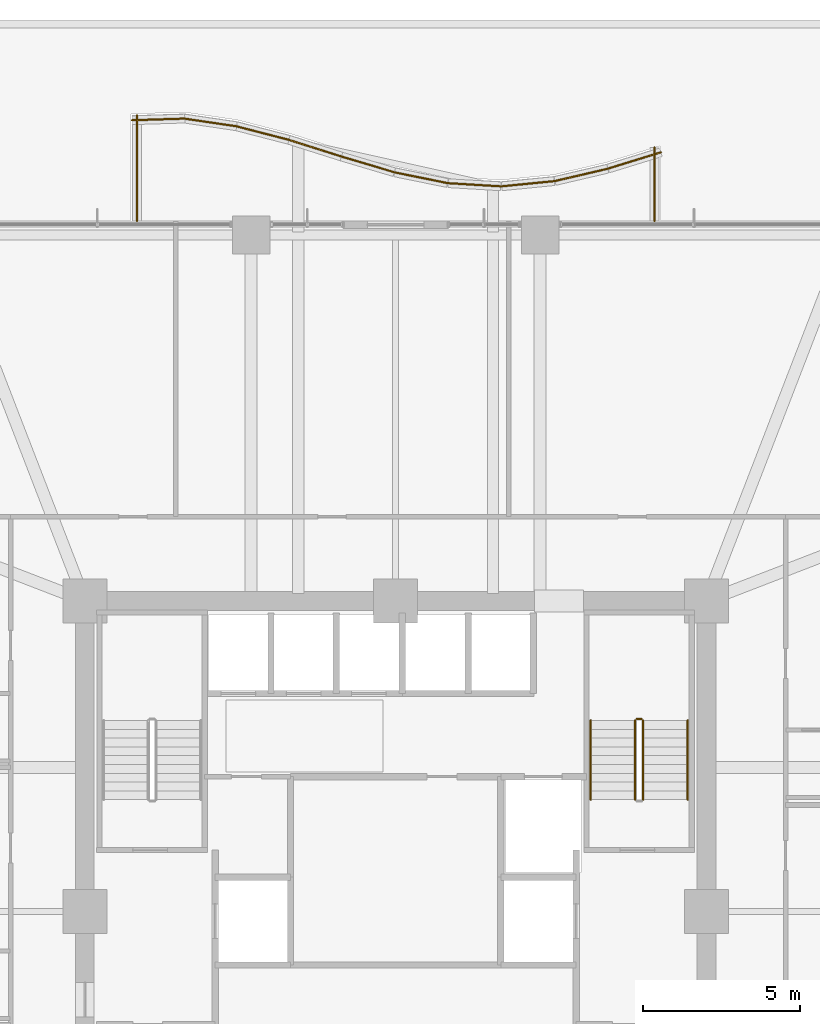
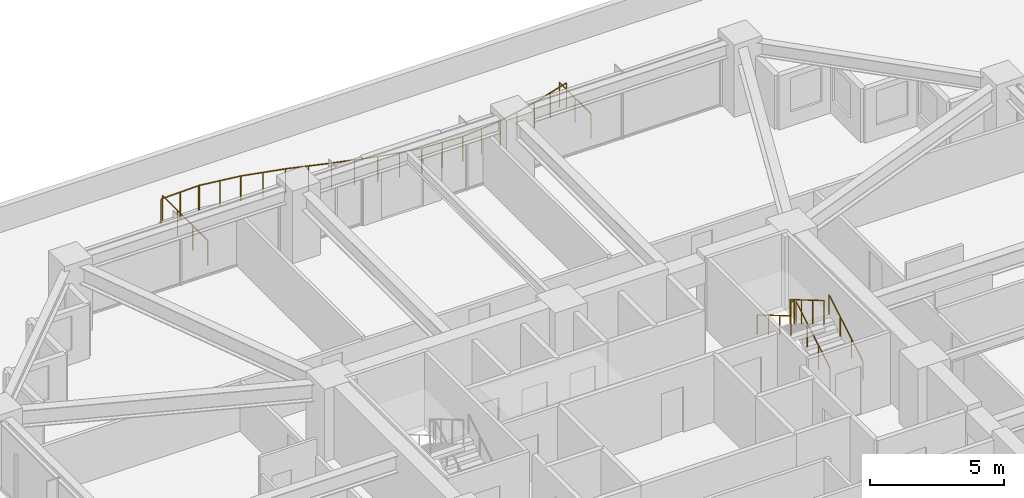
# One storey, part 36 of 36: 17 railings.
"""IFC4 building model written with IfcOpenShell, lengths in metres."""

from ifc_helpers import new_model, si_unit, direction, frame, origin, origin_2d, place, context, subcontext, project, spatial, circle, extrude, material, type_object, element, save


model = new_model("IFC4")

# Units and contexts
model_context = context("Model", 3, precision=1e-05, world=origin(), true_north=direction((0.0, 1.0)))
body_context = subcontext(model_context, "Body", "Model", "MODEL_VIEW")
ifc_project = project(units=[si_unit("LENGTHUNIT", "METRE"), si_unit("AREAUNIT", "SQUARE_METRE"), si_unit("VOLUMEUNIT", "CUBIC_METRE"), si_unit("PLANEANGLEUNIT", "RADIAN"), si_unit("MASSUNIT", "GRAM", prefix="KILO")], contexts=[model_context])

# Site, building, storey
site_placement = place(None, origin())
site = spatial("IfcSite", under=ifc_project, at=site_placement, CompositionType="ELEMENT")
building_placement = place(site_placement, origin())
building = spatial("IfcBuilding", under=site, at=building_placement, Name="Kolvaren Belvedere", CompositionType="ELEMENT")
storey_placement = place(building_placement, frame((0.0, 0.0, 23.800048828125)))
storey = spatial("IfcBuildingStorey", under=building, at=storey_placement, Name="L06", CompositionType="ELEMENT", Elevation=23.800048828125)

# Railings
ifc_material_1 = material(Name="Anodised pale-metal aluminium & laminated glass guard", Category="aluminium")
railing_type_1 = type_object("IfcRailingType", Name="RL-GUARD-1150", PredefinedType="GUARDRAIL", material=ifc_material_1)
railing_1_placement = place(storey_placement, frame((8.239990234375, 22.0, 0.35986328125)))
element("IfcRailing", 1, at=railing_1_placement, inside=storey, type_object=railing_type_1, Name="L06 Exterior Deck Safety Guard BAL-N-11", PredefinedType="GUARDRAIL", context=body_context, shape_type="SweptSolid", body=[
    extrude(circle(Radius=0.02392578125, at=origin_2d()), frame((0.0, 0.0, 1.1259765625), z_axis=(0.0, 1.0, 0.0), x_axis=(-1.0, 0.0, 0.0)), (0.0, 0.0, 1.0), 2.340087890625),
    extrude(circle(Radius=0.02099609375, at=origin_2d()), origin(), (0.0, 0.0, 1.0), 1.101806640625),
    extrude(circle(Radius=0.02099609375, at=origin_2d()), frame((0.0, 1.169921875, 0.0)), (0.0, 0.0, 1.0), 1.101806640625),
    extrude(circle(Radius=0.02099609375, at=origin_2d()), frame((0.0, 2.340087890625, 0.0)), (0.0, 0.0, 1.0), 1.101806640625),
])
railing_2_placement = place(storey_placement, frame((8.447265625, 24.187255859375, 0.35986328125)))
element("IfcRailing", 2, at=railing_2_placement, inside=storey, type_object=railing_type_1, Name="L06 Exterior Deck Safety Guard BAL-N-12", PredefinedType="GUARDRAIL", context=body_context, shape_type="SweptSolid", body=[
    extrude(circle(Radius=0.02392578125, at=origin_2d()), frame((0.0, 0.0, 1.1259765625), z_axis=(-0.95524013163, -0.295831524561, 0.0), x_axis=(0.295831524561, -0.95524013163, 0.0)), (0.0, 0.0, 1.0), 1.758544921875),
    extrude(circle(Radius=0.02099609375, at=origin_2d()), origin(), (0.0, 0.0, 1.0), 1.101806640625),
    extrude(circle(Radius=0.02099609375, at=origin_2d()), frame((-0.83984375, -0.26025390625, 0.0)), (0.0, 0.0, 1.0), 1.101806640625),
    extrude(circle(Radius=0.02099609375, at=origin_2d()), frame((-1.679931640625, -0.520263671875, 0.0)), (0.0, 0.0, 1.0), 1.101806640625),
])
railing_3_placement = place(storey_placement, frame((6.75634765625, 23.663818359375, 0.35986328125)))
element("IfcRailing", 3, at=railing_3_placement, inside=storey, type_object=railing_type_1, Name="L06 Exterior Deck Safety Guard BAL-N-13", PredefinedType="GUARDRAIL", context=body_context, shape_type="SweptSolid", body=[
    extrude(circle(Radius=0.02392578125, at=origin_2d()), frame((0.0, 0.0, 1.1259765625), z_axis=(-0.973890253884, -0.227019323824, 0.0), x_axis=(0.227019323824, -0.973890253884, 0.0)), (0.0, 0.0, 1.0), 1.724853515625),
    extrude(circle(Radius=0.02099609375, at=origin_2d()), origin(), (0.0, 0.0, 1.0), 1.101806640625),
    extrude(circle(Radius=0.02099609375, at=origin_2d()), frame((-0.83984375, -0.19580078125, 0.0)), (0.0, 0.0, 1.0), 1.101806640625),
    extrude(circle(Radius=0.02099609375, at=origin_2d()), frame((-1.679931640625, -0.3916015625, 0.0)), (0.0, 0.0, 1.0), 1.101806640625),
])
railing_4_placement = place(storey_placement, frame((5.0556640625, 23.268798828125, 0.35986328125)))
element("IfcRailing", 4, at=railing_4_placement, inside=storey, type_object=railing_type_1, Name="L06 Exterior Deck Safety Guard BAL-N-14", PredefinedType="GUARDRAIL", context=body_context, shape_type="SweptSolid", body=[
    extrude(circle(Radius=0.02392578125, at=origin_2d()), frame((0.0, 0.0, 1.1259765625), z_axis=(-0.995152499202, -0.098343801694, 0.0), x_axis=(0.098343801694, -0.995152499202, 0.0)), (0.0, 0.0, 1.0), 1.688232421875),
    extrude(circle(Radius=0.02099609375, at=origin_2d()), origin(), (0.0, 0.0, 1.0), 1.101806640625),
    extrude(circle(Radius=0.02099609375, at=origin_2d()), frame((-0.83984375, -0.0830078125, 0.0)), (0.0, 0.0, 1.0), 1.101806640625),
    extrude(circle(Radius=0.02099609375, at=origin_2d()), frame((-1.679931640625, -0.166015625, 0.0)), (0.0, 0.0, 1.0), 1.101806640625),
])
railing_5_placement = place(storey_placement, frame((3.350341796875, 23.102294921875, 0.35986328125)))
element("IfcRailing", 5, at=railing_5_placement, inside=storey, type_object=railing_type_1, Name="L06 Exterior Deck Safety Guard BAL-N-15", PredefinedType="GUARDRAIL", context=body_context, shape_type="SweptSolid", body=[
    extrude(circle(Radius=0.02392578125, at=origin_2d()), frame((0.0, 0.0, 1.1259765625), z_axis=(-0.998203631072, 0.059912527196, 0.0), x_axis=(-0.059912527196, -0.998203631072, 0.0)), (0.0, 0.0, 1.0), 1.682861328125),
    extrude(circle(Radius=0.02099609375, at=origin_2d()), origin(), (0.0, 0.0, 1.0), 1.101806640625),
    extrude(circle(Radius=0.02099609375, at=origin_2d()), frame((-0.83984375, 0.05029296875, 0.0)), (0.0, 0.0, 1.0), 1.101806640625),
    extrude(circle(Radius=0.02099609375, at=origin_2d()), frame((-1.679931640625, 0.100830078125, 0.0)), (0.0, 0.0, 1.0), 1.101806640625),
])
railing_6_placement = place(storey_placement, frame((1.64794921875, 23.2060546875, 0.35986328125)))
element("IfcRailing", 6, at=railing_6_placement, inside=storey, type_object=railing_type_1, Name="L06 Exterior Deck Safety Guard BAL-N-16", PredefinedType="GUARDRAIL", context=body_context, shape_type="SweptSolid", body=[
    extrude(circle(Radius=0.02392578125, at=origin_2d()), frame((0.0, 0.0, 1.1259765625), z_axis=(-0.979867779516, 0.199647526069, 0.0), x_axis=(-0.199647526069, -0.979867779516, 0.0)), (0.0, 0.0, 1.0), 1.71435546875),
    extrude(circle(Radius=0.02099609375, at=origin_2d()), origin(), (0.0, 0.0, 1.0), 1.101806640625),
    extrude(circle(Radius=0.02099609375, at=origin_2d()), frame((-0.83984375, 0.171142578125, 0.0)), (0.0, 0.0, 1.0), 1.101806640625),
    extrude(circle(Radius=0.02099609375, at=origin_2d()), frame((-1.679931640625, 0.34228515625, 0.0)), (0.0, 0.0, 1.0), 1.101806640625),
])
railing_7_placement = place(storey_placement, frame((-0.045654296875, 23.5517578125, 0.35986328125)))
element("IfcRailing", 7, at=railing_7_placement, inside=storey, type_object=railing_type_1, Name="L06 Exterior Deck Safety Guard BAL-N-17", PredefinedType="GUARDRAIL", context=body_context, shape_type="SweptSolid", body=[
    extrude(circle(Radius=0.02392578125, at=origin_2d()), frame((0.0, 0.0, 1.1259765625), z_axis=(-0.958525043221, 0.28500831833, 0.0), x_axis=(-0.28500831833, -0.958525043221, 0.0)), (0.0, 0.0, 1.0), 1.752685546875),
    extrude(circle(Radius=0.02099609375, at=origin_2d()), origin(), (0.0, 0.0, 1.0), 1.101806640625),
    extrude(circle(Radius=0.02099609375, at=origin_2d()), frame((-0.83984375, 0.249755859375, 0.0)), (0.0, 0.0, 1.0), 1.101806640625),
    extrude(circle(Radius=0.02099609375, at=origin_2d()), frame((-1.679931640625, 0.49951171875, 0.0)), (0.0, 0.0, 1.0), 1.101806640625),
])
railing_8_placement = place(storey_placement, frame((-1.728515625, 24.052001953125, 0.35986328125)))
element("IfcRailing", 8, at=railing_8_placement, inside=storey, type_object=railing_type_1, Name="L06 Exterior Deck Safety Guard BAL-N-18", PredefinedType="GUARDRAIL", context=body_context, shape_type="SweptSolid", body=[
    extrude(circle(Radius=0.02392578125, at=origin_2d()), frame((0.0, 0.0, 1.1259765625), z_axis=(-0.953142020151, 0.302523204768, 0.0), x_axis=(-0.302523204768, -0.953142020151, 0.0)), (0.0, 0.0, 1.0), 1.762451171875),
    extrude(circle(Radius=0.02099609375, at=origin_2d()), origin(), (0.0, 0.0, 1.0), 1.101806640625),
    extrude(circle(Radius=0.02099609375, at=origin_2d()), frame((-0.83984375, 0.2666015625, 0.0)), (0.0, 0.0, 1.0), 1.101806640625),
    extrude(circle(Radius=0.02099609375, at=origin_2d()), frame((-1.679931640625, 0.533203125, 0.0)), (0.0, 0.0, 1.0), 1.101806640625),
])
railing_9_placement = place(storey_placement, frame((-3.400146484375, 24.582763671875, 0.35986328125)))
element("IfcRailing", 9, at=railing_9_placement, inside=storey, type_object=railing_type_1, Name="L06 Exterior Deck Safety Guard BAL-N-19", PredefinedType="GUARDRAIL", context=body_context, shape_type="SweptSolid", body=[
    extrude(circle(Radius=0.02392578125, at=origin_2d()), frame((0.0, 0.0, 1.1259765625), z_axis=(-0.968132209145, 0.250439664624, 0.0), x_axis=(-0.250439664624, -0.968132209145, 0.0)), (0.0, 0.0, 1.0), 1.7353515625),
    extrude(circle(Radius=0.02099609375, at=origin_2d()), origin(), (0.0, 0.0, 1.0), 1.101806640625),
    extrude(circle(Radius=0.02099609375, at=origin_2d()), frame((-0.83984375, 0.21728515625, 0.0)), (0.0, 0.0, 1.0), 1.101806640625),
    extrude(circle(Radius=0.02099609375, at=origin_2d()), frame((-1.679931640625, 0.4345703125, 0.0)), (0.0, 0.0, 1.0), 1.101806640625),
])
railing_10_placement = place(storey_placement, frame((-5.063232421875, 25.013916015625, 0.35986328125)))
element("IfcRailing", 10, at=railing_10_placement, inside=storey, type_object=railing_type_1, Name="L06 Exterior Deck Safety Guard BAL-N-20", PredefinedType="GUARDRAIL", context=body_context, shape_type="SweptSolid", body=[
    extrude(circle(Radius=0.02392578125, at=origin_2d()), frame((0.0, 0.0, 1.1259765625), z_axis=(-0.98929818871, 0.145907826437, 0.0), x_axis=(-0.145907826437, -0.98929818871, 0.0)), (0.0, 0.0, 1.0), 1.6982421875),
    extrude(circle(Radius=0.02099609375, at=origin_2d()), origin(), (0.0, 0.0, 1.0), 1.101806640625),
    extrude(circle(Radius=0.02099609375, at=origin_2d()), frame((-0.840087890625, 0.1240234375, 0.0)), (0.0, 0.0, 1.0), 1.101806640625),
    extrude(circle(Radius=0.02099609375, at=origin_2d()), frame((-1.68017578125, 0.247802734375, 0.0)), (0.0, 0.0, 1.0), 1.101806640625),
])
railing_11_placement = place(storey_placement, frame((-6.715087890625, 25.260009765625, 0.35986328125)))
element("IfcRailing", 11, at=railing_11_placement, inside=storey, type_object=railing_type_1, Name="L06 Exterior Deck Safety Guard BAL-N-21", PredefinedType="GUARDRAIL", context=body_context, shape_type="SweptSolid", body=[
    extrude(circle(Radius=0.02392578125, at=origin_2d()), frame((0.0, 0.0, 1.1259765625), z_axis=(-0.999507673088, -0.031375331694, 0.0), x_axis=(0.031375331694, -0.999507673088, 0.0)), (0.0, 0.0, 1.0), 1.6806640625),
    extrude(circle(Radius=0.02099609375, at=origin_2d()), origin(), (0.0, 0.0, 1.0), 1.101806640625),
    extrude(circle(Radius=0.02099609375, at=origin_2d()), frame((-0.83984375, -0.0263671875, 0.0)), (0.0, 0.0, 1.0), 1.101806640625),
    extrude(circle(Radius=0.02099609375, at=origin_2d()), frame((-1.679931640625, -0.052734375, 0.0)), (0.0, 0.0, 1.0), 1.101806640625),
])
railing_12_placement = place(storey_placement, frame((-8.239990234375, 25.3671875, 0.35986328125)))
element("IfcRailing", 12, at=railing_12_placement, inside=storey, type_object=railing_type_1, Name="L06 Exterior Deck Safety Guard BAL-N-22", PredefinedType="GUARDRAIL", context=body_context, shape_type="SweptSolid", body=[
    extrude(circle(Radius=0.02392578125, at=origin_2d()), frame((0.0, 0.0, 1.1259765625), z_axis=(0.0, -1.0, 0.0), x_axis=(1.0, 0.0, 0.0)), (0.0, 0.0, 1.0), 3.3671875),
    extrude(circle(Radius=0.02099609375, at=origin_2d()), origin(), (0.0, 0.0, 1.0), 1.101806640625),
    extrude(circle(Radius=0.02099609375, at=origin_2d()), frame((0.0, -1.122314453125, 0.0)), (0.0, 0.0, 1.0), 1.101806640625),
    extrude(circle(Radius=0.02099609375, at=origin_2d()), frame((0.0, -2.244873046875, 0.0)), (0.0, 0.0, 1.0), 1.101806640625),
    extrude(circle(Radius=0.02099609375, at=origin_2d()), frame((0.0, -3.3671875, 0.0)), (0.0, 0.0, 1.0), 1.101806640625),
])
ifc_material_2 = material(Name="Brushed stainless-steel handrail", Category="steel")
railing_type_2 = type_object("IfcRailingType", Name="RL-HANDRAIL-920", PredefinedType="HANDRAIL", material=ifc_material_2)
railing_13_placement = place(storey_placement, frame((9.300048828125, 3.570068359375, 0.1650390625)))
element("IfcRailing", 13, at=railing_13_placement, inside=storey, type_object=railing_type_2, Name="L06 ST-2 stair handrail 1", PredefinedType="HANDRAIL", context=body_context, shape_type="SweptSolid", body=[
    extrude(circle(Radius=0.02392578125, at=origin_2d()), frame((0.0, 0.0, 0.8759765625), z_axis=(0.0, 0.861560626758, 0.507654692109), x_axis=(-1.0, 0.0, 0.0)), (0.0, 0.0, 1.0), 2.925048828125),
    extrude(circle(Radius=0.02099609375, at=origin_2d()), origin(), (0.0, 0.0, 1.0), 0.851806640625),
    extrude(circle(Radius=0.02099609375, at=origin_2d()), frame((0.0, 0.840087890625, 0.494873046875)), (0.0, 0.0, 1.0), 0.851806640625),
    extrude(circle(Radius=0.02099609375, at=origin_2d()), frame((0.0, 1.679931640625, 0.989990234375)), (0.0, 0.0, 1.0), 0.851806640625),
    extrude(circle(Radius=0.02099609375, at=origin_2d()), frame((0.0, 2.52001953125, 1.48486328125)), (0.0, 0.0, 1.0), 0.851806640625),
])
railing_14_placement = place(storey_placement, frame((6.2099609375, 6.090087890625, 1.81494140625)))
element("IfcRailing", 14, at=railing_14_placement, inside=storey, type_object=railing_type_2, Name="L06 ST-2 stair handrail 2", PredefinedType="HANDRAIL", context=body_context, shape_type="SweptSolid", body=[
    extrude(circle(Radius=0.02392578125, at=origin_2d()), frame((0.0, 0.0, 0.8759765625), z_axis=(0.0, -0.86152411907, 0.507716645641), x_axis=(1.0, 0.0, 0.0)), (0.0, 0.0, 1.0), 2.925048828125),
    extrude(circle(Radius=0.02099609375, at=origin_2d()), origin(), (0.0, 0.0, 1.0), 0.851806640625),
    extrude(circle(Radius=0.02099609375, at=origin_2d()), frame((0.0, -0.840087890625, 0.4951171875)), (0.0, 0.0, 1.0), 0.851806640625),
    extrude(circle(Radius=0.02099609375, at=origin_2d()), frame((0.0, -1.679931640625, 0.989990234375)), (0.0, 0.0, 1.0), 0.851806640625),
    extrude(circle(Radius=0.02099609375, at=origin_2d()), frame((0.0, -2.52001953125, 1.485107421875)), (0.0, 0.0, 1.0), 0.851806640625),
])
ifc_material_3 = material(Name="Painted tubular steel stair guard", Category="steel")
railing_type_3 = type_object("IfcRailingType", Name="RL-STGUARD-1100", PredefinedType="GUARDRAIL", material=ifc_material_3)
railing_15_placement = place(storey_placement, frame((7.8798828125, 3.570068359375, 0.1650390625)))
element("IfcRailing", 15, at=railing_15_placement, inside=storey, type_object=railing_type_3, Name="L06 ST-2 stair guard 1", PredefinedType="GUARDRAIL", context=body_context, shape_type="SweptSolid", body=[
    extrude(circle(Radius=0.02392578125, at=origin_2d()), frame((0.0, 0.0, 1.076171875), z_axis=(0.0, 0.861560626758, 0.507654692109), x_axis=(-1.0, 0.0, 0.0)), (0.0, 0.0, 1.0), 2.925048828125),
    extrude(circle(Radius=0.02099609375, at=origin_2d()), origin(), (0.0, 0.0, 1.0), 1.052001953125),
    extrude(circle(Radius=0.02099609375, at=origin_2d()), frame((0.0, 0.840087890625, 0.494873046875)), (0.0, 0.0, 1.0), 1.052001953125),
    extrude(circle(Radius=0.02099609375, at=origin_2d()), frame((0.0, 1.679931640625, 0.989990234375)), (0.0, 0.0, 1.0), 1.052001953125),
    extrude(circle(Radius=0.02099609375, at=origin_2d()), frame((0.0, 2.52001953125, 1.48486328125)), (0.0, 0.0, 1.0), 1.052001953125),
])
railing_16_placement = place(storey_placement, frame((7.830078125, 6.139892578125, 1.64990234375)))
element("IfcRailing", 16, at=railing_16_placement, inside=storey, type_object=railing_type_3, Name="L06 ST-2 stair guard 2", PredefinedType="GUARDRAIL", context=body_context, shape_type="SweptSolid", body=[
    extrude(circle(Radius=0.02392578125, at=origin_2d()), frame((0.0, 0.0, 1.076171875), z_axis=(-1.0, 0.0, 0.0), x_axis=(0.0, -1.0, 0.0)), (0.0, 0.0, 1.0), 0.150146484375),
    extrude(circle(Radius=0.02099609375, at=origin_2d()), origin(), (0.0, 0.0, 1.0), 1.052001953125),
    extrude(circle(Radius=0.02099609375, at=origin_2d()), frame((-0.150146484375, 0.0, 0.0)), (0.0, 0.0, 1.0), 1.052001953125),
])
railing_17_placement = place(storey_placement, frame((7.6298828125, 6.090087890625, 1.81494140625)))
element("IfcRailing", 17, at=railing_17_placement, inside=storey, type_object=railing_type_3, Name="L06 ST-2 stair guard 3", PredefinedType="GUARDRAIL", context=body_context, shape_type="SweptSolid", body=[
    extrude(circle(Radius=0.02392578125, at=origin_2d()), frame((0.0, 0.0, 1.076171875), z_axis=(0.0, -0.86152411907, 0.507716645641), x_axis=(1.0, 0.0, 0.0)), (0.0, 0.0, 1.0), 2.925048828125),
    extrude(circle(Radius=0.02099609375, at=origin_2d()), origin(), (0.0, 0.0, 1.0), 1.052001953125),
    extrude(circle(Radius=0.02099609375, at=origin_2d()), frame((0.0, -0.840087890625, 0.4951171875)), (0.0, 0.0, 1.0), 1.052001953125),
    extrude(circle(Radius=0.02099609375, at=origin_2d()), frame((0.0, -1.679931640625, 0.989990234375)), (0.0, 0.0, 1.0), 1.052001953125),
    extrude(circle(Radius=0.02099609375, at=origin_2d()), frame((0.0, -2.52001953125, 1.485107421875)), (0.0, 0.0, 1.0), 1.052001953125),
])

save(model, "model.ifc")
